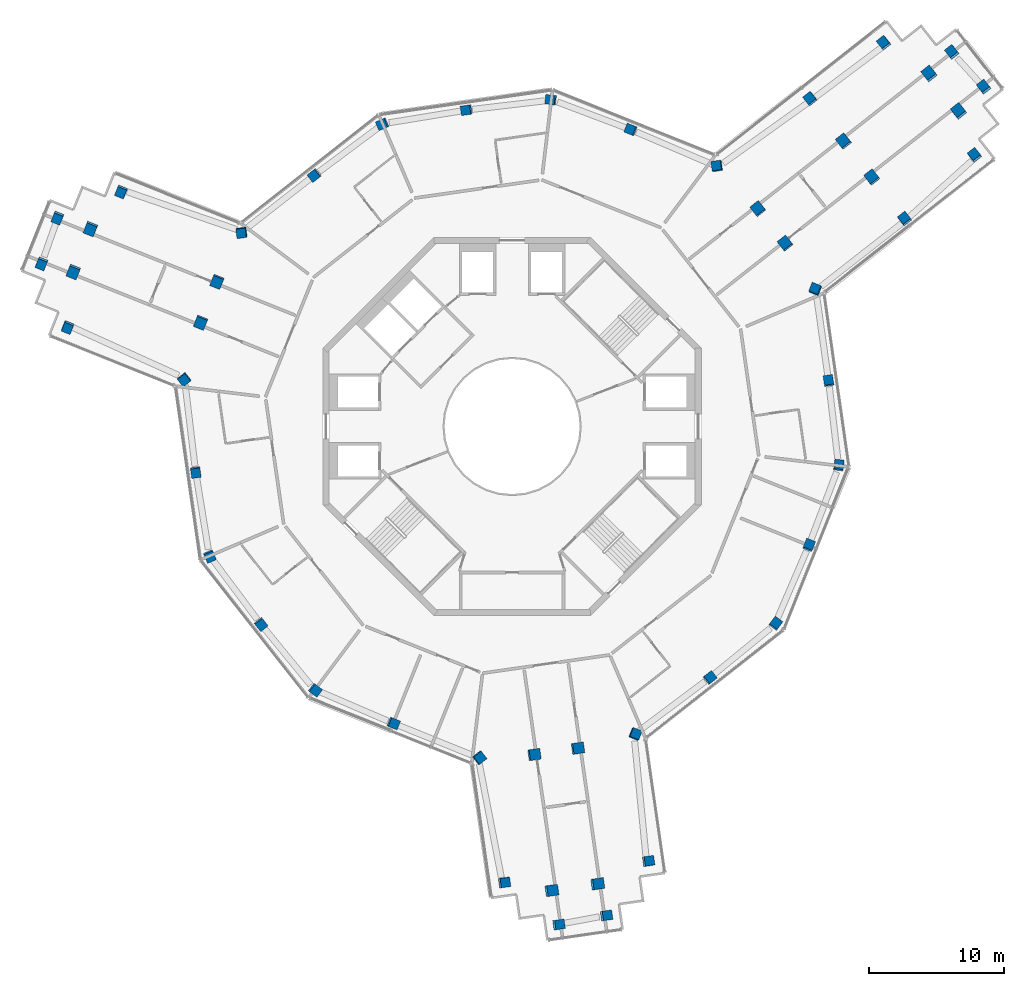
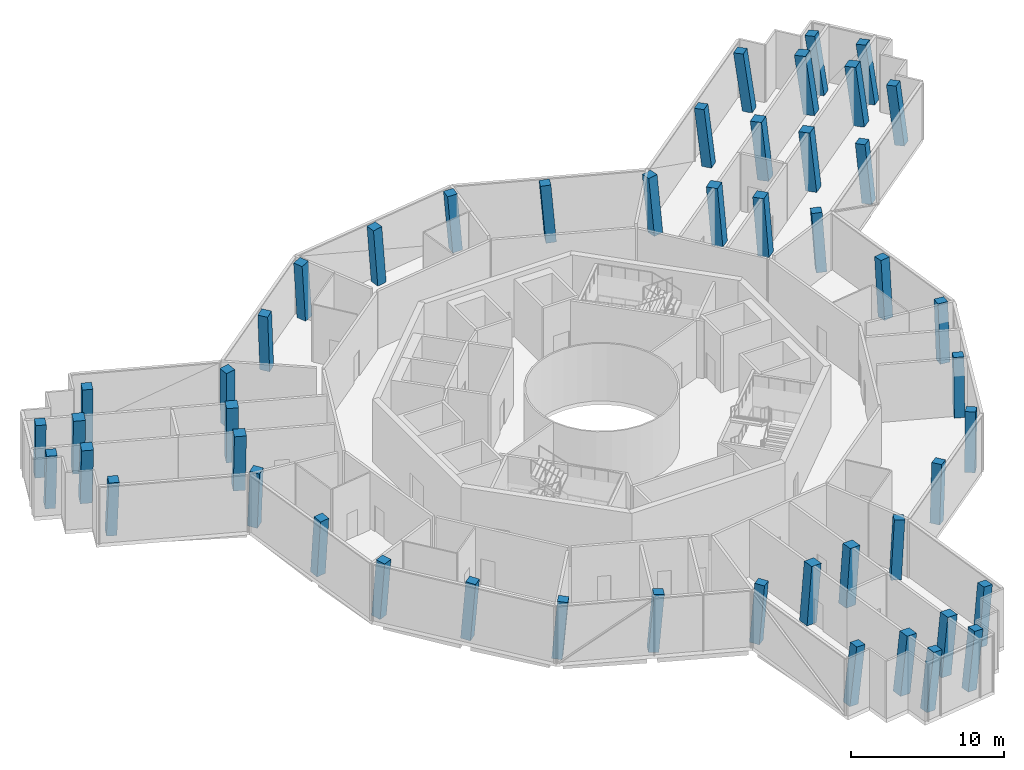
# One storey, part 1 of 19: 49 columns.
"""IFC4 building model written with IfcOpenShell, lengths in metres."""

from ifc_helpers import new_model, si_unit, direction, frame, origin, origin_2d, place, context, subcontext, project, spatial, rectangle, extrude, material, material_profile, profile_set, type_object, element, save


model = new_model("IFC4")

# Units and contexts
model_context = context("Model", 3, precision=1e-05, world=origin(), true_north=direction((0.0, 1.0)))
body_context = subcontext(model_context, "Body", "Model", "MODEL_VIEW")
ifc_project = project(units=[si_unit("LENGTHUNIT", "METRE"), si_unit("AREAUNIT", "SQUARE_METRE"), si_unit("VOLUMEUNIT", "CUBIC_METRE"), si_unit("PLANEANGLEUNIT", "RADIAN"), si_unit("MASSUNIT", "GRAM", prefix="KILO")], contexts=[model_context])

# Site, building, storey
site_placement = place(None, origin())
site = spatial("IfcSite", under=ifc_project, at=site_placement, CompositionType="ELEMENT")
building_placement = place(site_placement, origin())
building = spatial("IfcBuilding", under=site, at=building_placement, Name="Verdalira Terraces Hotel", CompositionType="ELEMENT")
storey_placement = place(building_placement, frame((0.0, 0.0, 310.0)))
storey = spatial("IfcBuildingStorey", under=building, at=storey_placement, Name="L77", CompositionType="ELEMENT", Elevation=310.0)

# Columns
ifc_material_1 = material(Name="Concrete C50", Category="concrete")
ifc_material_profile_1 = material_profile(ifc_material_1, rectangle(XDim=0.699951, YDim=0.699951, at=origin_2d()), Name="RC 700X700")
ifc_profile_set_1 = profile_set([ifc_material_profile_1], Name="Concrete C50")
column_type_1 = type_object("IfcColumnType", Name="Column RC 700X700 C50", PredefinedType="COLUMN", material=ifc_profile_set_1)
for number, where, z_axis, x_axis, name in (
    (1, (-28.906494, 17.413574, 0.0), (-0.05721936, -0.096719177, 0.993665611), (-0.92723047, 0.374106055, -0.016979862), "Column C01"),
    (2, (-32.879883, 7.392334, 0.0), (-0.023679216, -0.109694364, 0.99368327), (0.928900466, -0.369857362, -0.018693716), "Column C02"),
):
    element("IfcColumn", number, at=place(storey_placement, frame(where, z_axis=z_axis, x_axis=x_axis)), inside=storey, type_object=column_type_1, Name=name, PredefinedType="COLUMN", context=body_context, shape_type="SweptSolid", body=[
        extrude(rectangle(XDim=0.699951, YDim=0.699951, at=origin_2d()), origin(), (0.0, 0.0, 1.0), 4.629395),
    ])
column_1_placement = place(storey_placement, frame((-24.263428, 3.519043, 0.0), z_axis=(-0.011107874, -0.081140376, 0.996640785), x_axis=(-0.619180464, 0.783187296, 0.056861342)))
element("IfcColumn", 3, at=column_1_placement, inside=storey, type_object=column_type_1, Name="Column C03", PredefinedType="COLUMN", context=body_context, shape_type="SweptSolid", body=[
    extrude(rectangle(XDim=0.699951, YDim=0.699951, at=origin_2d()), origin(), (0.0, 0.0, 1.0), 4.615723),
])
column_2_placement = place(storey_placement, frame((-23.418701, -3.35791, 0.0), z_axis=(0.011851144, -0.078143481, 0.99687168), x_axis=(0.141161179, -0.986826788, -0.079034246)))
element("IfcColumn", 4, at=column_2_placement, inside=storey, type_object=column_type_1, Name="Column C04", PredefinedType="COLUMN", context=body_context, shape_type="SweptSolid", body=[
    extrude(rectangle(XDim=0.699951, YDim=0.699951, at=origin_2d()), origin(), (0.0, 0.0, 1.0), 4.614502),
])
column_3_placement = place(storey_placement, frame((-22.385742, -9.576172, 0.0), z_axis=(0.032584708, -0.074479333, 0.996690055), x_axis=(-0.391777358, 0.916461693, 0.08129248)))
element("IfcColumn", 5, at=column_3_placement, inside=storey, type_object=column_type_1, Name="Column C05", PredefinedType="COLUMN", context=body_context, shape_type="SweptSolid", body=[
    extrude(rectangle(XDim=0.699951, YDim=0.699951, at=origin_2d()), origin(), (0.0, 0.0, 1.0), 4.615479),
])
column_4_placement = place(storey_placement, frame((-18.602295, -14.617432, 0.0), z_axis=(0.049362085, -0.061742286, 0.996870741), x_axis=(0.615910303, -0.783840682, -0.079046088)))
element("IfcColumn", 6, at=column_4_placement, inside=storey, type_object=column_type_1, Name="Column C06", PredefinedType="COLUMN", context=body_context, shape_type="SweptSolid", body=[
    extrude(rectangle(XDim=0.699951, YDim=0.699951, at=origin_2d()), origin(), (0.0, 0.0, 1.0), 4.614502),
])
column_5_placement = place(storey_placement, frame((-14.598633, -19.486084, 0.0), z_axis=(0.065486741, -0.048189355, 0.996689156), x_axis=(-0.797754975, 0.597475305, 0.081303506)))
element("IfcColumn", 7, at=column_5_placement, inside=storey, type_object=column_type_1, Name="Column C07", PredefinedType="COLUMN", context=body_context, shape_type="SweptSolid", body=[
    extrude(rectangle(XDim=0.699951, YDim=0.699951, at=origin_2d()), origin(), (0.0, 0.0, 1.0), 4.615479),
])
column_6_placement = place(storey_placement, frame((-8.80127, -21.960205, 0.0), z_axis=(0.07359358, -0.028781386, 0.996872919), x_axis=(0.925306036, -0.370897286, -0.079018619)))
element("IfcColumn", 8, at=column_6_placement, inside=storey, type_object=column_type_1, Name="Column C08", PredefinedType="COLUMN", context=body_context, shape_type="SweptSolid", body=[
    extrude(rectangle(XDim=0.699951, YDim=0.699951, at=origin_2d()), origin(), (0.0, 0.0, 1.0), 4.614502),
])
column_7_placement = place(storey_placement, frame((-2.446289, -24.507324, 0.0), z_axis=(0.081931271, -0.007457914, 0.996610077), x_axis=(-0.614475431, 0.786917055, 0.056404721)))
element("IfcColumn", 9, at=column_7_placement, inside=storey, type_object=column_type_1, Name="Column C09", PredefinedType="COLUMN", context=body_context, shape_type="SweptSolid", body=[
    extrude(rectangle(XDim=0.699951, YDim=0.699951, at=origin_2d()), origin(), (0.0, 0.0, 1.0), 4.615723),
])
column_8_placement = place(storey_placement, frame((-0.627197, -33.740479, 0.0), z_axis=(0.112329775, -0.001212951, 0.993670242), x_axis=(0.139458234, -0.990082469, -0.016973672)))
element("IfcColumn", 10, at=column_8_placement, inside=storey, type_object=column_type_1, Name="Column C10", PredefinedType="COLUMN", context=body_context, shape_type="SweptSolid", body=[
    extrude(rectangle(XDim=0.699951, YDim=0.699951, at=origin_2d()), origin(), (0.0, 0.0, 1.0), 4.629395),
])
column_9_placement = place(storey_placement, frame((3.396484, -36.861084, 0.0), z_axis=(0.12245642, 0.012324646, 0.992397364), x_axis=(0.982265159, 0.141545075, -0.122964019)))
element("IfcColumn", 11, at=column_9_placement, inside=storey, type_object=column_type_1, Name="Column C11", PredefinedType="COLUMN", context=body_context, shape_type="SweptSolid", body=[
    extrude(rectangle(XDim=0.699951, YDim=0.699951, at=origin_2d()), origin(), (0.0, 0.0, 1.0), 4.635254),
])
column_10_placement = place(storey_placement, frame((6.91748, -36.19458, 0.0), z_axis=(0.120147212, 0.024018908, 0.992465485), x_axis=(0.982544025, 0.140145274, -0.122337818)))
element("IfcColumn", 12, at=column_10_placement, inside=storey, type_object=column_type_1, Name="Column C12", PredefinedType="COLUMN", context=body_context, shape_type="SweptSolid", body=[
    extrude(rectangle(XDim=0.699951, YDim=0.699951, at=origin_2d()), origin(), (0.0, 0.0, 1.0), 4.63501),
])
column_11_placement = place(storey_placement, frame((10.037842, -32.170898, 0.0), z_axis=(0.106846652, 0.034279528, 0.99368441), x_axis=(-0.143609247, 0.989457928, -0.018692035)))
element("IfcColumn", 13, at=column_11_placement, inside=storey, type_object=column_type_1, Name="Column C13", PredefinedType="COLUMN", context=body_context, shape_type="SweptSolid", body=[
    extrude(rectangle(XDim=0.699951, YDim=0.699951, at=origin_2d()), origin(), (0.0, 0.0, 1.0), 4.629395),
])
column_12_placement = place(storey_placement, frame((9.084229, -22.772217, 0.0), z_axis=(0.075798181, 0.03094343, 0.996642935), x_axis=(-0.36863657, -0.927834001, 0.056843175)))
element("IfcColumn", 14, at=column_12_placement, inside=storey, type_object=column_type_1, Name="Column C14", PredefinedType="COLUMN", context=body_context, shape_type="SweptSolid", body=[
    extrude(rectangle(XDim=0.699951, YDim=0.699951, at=origin_2d()), origin(), (0.0, 0.0, 1.0), 4.615479),
])
column_13_placement = place(storey_placement, frame((14.617432, -18.602295, 0.0), z_axis=(0.061742286, 0.049362085, 0.996870741), x_axis=(0.783840682, 0.615910303, -0.079046088)))
element("IfcColumn", 15, at=column_13_placement, inside=storey, type_object=column_type_1, Name="Column C15", PredefinedType="COLUMN", context=body_context, shape_type="SweptSolid", body=[
    extrude(rectangle(XDim=0.699951, YDim=0.699951, at=origin_2d()), origin(), (0.0, 0.0, 1.0), 4.614502),
])
column_14_placement = place(storey_placement, frame((19.486084, -14.598633, 0.0), z_axis=(0.048189355, 0.065486741, 0.996689156), x_axis=(-0.597475305, -0.797754975, 0.081303506)))
element("IfcColumn", 16, at=column_14_placement, inside=storey, type_object=column_type_1, Name="Column C16", PredefinedType="COLUMN", context=body_context, shape_type="SweptSolid", body=[
    extrude(rectangle(XDim=0.699951, YDim=0.699951, at=origin_2d()), origin(), (0.0, 0.0, 1.0), 4.615479),
])
column_15_placement = place(storey_placement, frame((21.960205, -8.80127, 0.0), z_axis=(0.028781386, 0.07359358, 0.996872919), x_axis=(0.370897286, 0.925306036, -0.079018619)))
element("IfcColumn", 17, at=column_15_placement, inside=storey, type_object=column_type_1, Name="Column C17", PredefinedType="COLUMN", context=body_context, shape_type="SweptSolid", body=[
    extrude(rectangle(XDim=0.699951, YDim=0.699951, at=origin_2d()), origin(), (0.0, 0.0, 1.0), 4.614502),
])
column_16_placement = place(storey_placement, frame((24.174805, -2.899902, 0.0), z_axis=(0.008992511, 0.080826804, 0.996687595), x_axis=(-0.118558007, -0.989611352, 0.081322631)))
element("IfcColumn", 18, at=column_16_placement, inside=storey, type_object=column_type_1, Name="Column C18", PredefinedType="COLUMN", context=body_context, shape_type="SweptSolid", body=[
    extrude(rectangle(XDim=0.699951, YDim=0.699951, at=origin_2d()), origin(), (0.0, 0.0, 1.0), 4.615479),
])
column_17_placement = place(storey_placement, frame((23.418701, 3.35791, 0.0), z_axis=(-0.011851144, 0.078143481, 0.99687168), x_axis=(-0.141161179, 0.986826788, -0.079034246)))
element("IfcColumn", 19, at=column_17_placement, inside=storey, type_object=column_type_1, Name="Column C19", PredefinedType="COLUMN", context=body_context, shape_type="SweptSolid", body=[
    extrude(rectangle(XDim=0.699951, YDim=0.699951, at=origin_2d()), origin(), (0.0, 0.0, 1.0), 4.614502),
])
column_18_placement = place(storey_placement, frame((22.447021, 10.13501, 0.0), z_axis=(-0.034486263, 0.074684974, 0.996610682), x_axis=(-0.374469842, -0.925522237, 0.056399695)))
element("IfcColumn", 20, at=column_18_placement, inside=storey, type_object=column_type_1, Name="Column C20", PredefinedType="COLUMN", context=body_context, shape_type="SweptSolid", body=[
    extrude(rectangle(XDim=0.699951, YDim=0.699951, at=origin_2d()), origin(), (0.0, 0.0, 1.0), 4.615723),
])
column_19_placement = place(storey_placement, frame((29.06543, 15.335693, 0.0), z_axis=(-0.051909887, 0.096381467, 0.993989928), x_axis=(0.787304362, 0.616282679, -0.018641384)))
element("IfcColumn", 21, at=column_19_placement, inside=storey, type_object=column_type_1, Name="Column C21", PredefinedType="COLUMN", context=body_context, shape_type="SweptSolid", body=[
    extrude(rectangle(XDim=0.699951, YDim=0.699951, at=origin_2d()), origin(), (0.0, 0.0, 1.0), 4.62793),
])
column_20_placement = place(storey_placement, frame((34.251709, 20.03418, 0.0), z_axis=(-0.067498447, 0.113216414, 0.991274938), x_axis=(0.787550019, 0.616023556, -0.016731558)))
element("IfcColumn", 22, at=column_20_placement, inside=storey, type_object=column_type_1, Name="Column C22", PredefinedType="COLUMN", context=body_context, shape_type="SweptSolid", body=[
    extrude(rectangle(XDim=0.699951, YDim=0.699951, at=origin_2d()), origin(), (0.0, 0.0, 1.0), 4.640625),
])
column_21_placement = place(storey_placement, frame((34.942139, 25.079102, 0.0), z_axis=(-0.084153163, 0.115198431, 0.989771472), x_axis=(-0.612117402, 0.77780811, -0.142572193)))
element("IfcColumn", 23, at=column_21_placement, inside=storey, type_object=column_type_1, Name="Column C23", PredefinedType="COLUMN", context=body_context, shape_type="SweptSolid", body=[
    extrude(rectangle(XDim=0.699951, YDim=0.699951, at=origin_2d()), origin(), (0.0, 0.0, 1.0), 4.647705),
])
column_22_placement = place(storey_placement, frame((32.587646, 27.654785, 0.0), z_axis=(-0.092675078, 0.107280334, 0.989900126), x_axis=(-0.611218856, 0.778689439, -0.141613093)))
element("IfcColumn", 24, at=column_22_placement, inside=storey, type_object=column_type_1, Name="Column C24", PredefinedType="COLUMN", context=body_context, shape_type="SweptSolid", body=[
    extrude(rectangle(XDim=0.699951, YDim=0.699951, at=origin_2d()), origin(), (0.0, 0.0, 1.0), 4.646973),
])
column_23_placement = place(storey_placement, frame((27.542725, 28.345215, 0.0), z_axis=(-0.09491483, 0.090705747, 0.991344361), x_axis=(-0.784698452, -0.61960342, -0.018437518)))
element("IfcColumn", 25, at=column_23_placement, inside=storey, type_object=column_type_1, Name="Column C25", PredefinedType="COLUMN", context=body_context, shape_type="SweptSolid", body=[
    extrude(rectangle(XDim=0.699951, YDim=0.699951, at=origin_2d()), origin(), (0.0, 0.0, 1.0), 4.640381),
])
column_24_placement = place(storey_placement, frame((22.083496, 24.220703, 0.0), z_axis=(-0.081243871, 0.072908461, 0.994024039), x_axis=(-0.785191013, -0.618968926, -0.018776091)))
element("IfcColumn", 26, at=column_24_placement, inside=storey, type_object=column_type_1, Name="Column C26", PredefinedType="COLUMN", context=body_context, shape_type="SweptSolid", body=[
    extrude(rectangle(XDim=0.699951, YDim=0.699951, at=origin_2d()), origin(), (0.0, 0.0, 1.0), 4.627686),
])
column_25_placement = place(storey_placement, frame((15.179199, 19.253418, 0.0), z_axis=(-0.064690399, 0.050144316, 0.996644721), x_axis=(0.987816207, 0.14487826, 0.056828077)))
element("IfcColumn", 27, at=column_25_placement, inside=storey, type_object=column_type_1, Name="Column C27", PredefinedType="COLUMN", context=body_context, shape_type="SweptSolid", body=[
    extrude(rectangle(XDim=0.699951, YDim=0.699951, at=origin_2d()), origin(), (0.0, 0.0, 1.0), 4.615479),
])
column_26_placement = place(storey_placement, frame((8.80127, 21.960205, 0.0), z_axis=(-0.07359358, 0.028781386, 0.996872919), x_axis=(-0.925306036, 0.370897286, -0.079018619)))
element("IfcColumn", 28, at=column_26_placement, inside=storey, type_object=column_type_1, Name="Column C28", PredefinedType="COLUMN", context=body_context, shape_type="SweptSolid", body=[
    extrude(rectangle(XDim=0.699951, YDim=0.699951, at=origin_2d()), origin(), (0.0, 0.0, 1.0), 4.614502),
])
column_27_placement = place(storey_placement, frame((2.899902, 24.174805, 0.0), z_axis=(-0.080826804, 0.008992511, 0.996687595), x_axis=(0.989611352, -0.118558007, 0.081322631)))
element("IfcColumn", 29, at=column_27_placement, inside=storey, type_object=column_type_1, Name="Column C29", PredefinedType="COLUMN", context=body_context, shape_type="SweptSolid", body=[
    extrude(rectangle(XDim=0.699951, YDim=0.699951, at=origin_2d()), origin(), (0.0, 0.0, 1.0), 4.615479),
])
column_28_placement = place(storey_placement, frame((-3.35791, 23.418701, 0.0), z_axis=(-0.078143481, -0.011851144, 0.99687168), x_axis=(-0.986826788, -0.141161179, -0.079034246)))
element("IfcColumn", 30, at=column_28_placement, inside=storey, type_object=column_type_1, Name="Column C30", PredefinedType="COLUMN", context=body_context, shape_type="SweptSolid", body=[
    extrude(rectangle(XDim=0.699951, YDim=0.699951, at=origin_2d()), origin(), (0.0, 0.0, 1.0), 4.614502),
])
column_29_placement = place(storey_placement, frame((-9.576172, 22.385742, 0.0), z_axis=(-0.074479333, -0.032584708, 0.996690055), x_axis=(0.916461693, 0.391777358, 0.08129248)))
element("IfcColumn", 31, at=column_29_placement, inside=storey, type_object=column_type_1, Name="Column C31", PredefinedType="COLUMN", context=body_context, shape_type="SweptSolid", body=[
    extrude(rectangle(XDim=0.699951, YDim=0.699951, at=origin_2d()), origin(), (0.0, 0.0, 1.0), 4.615479),
])
column_30_placement = place(storey_placement, frame((-14.617432, 18.602295, 0.0), z_axis=(-0.061742286, -0.049362085, 0.996870741), x_axis=(-0.783840682, -0.615910303, -0.079046088)))
element("IfcColumn", 32, at=column_30_placement, inside=storey, type_object=column_type_1, Name="Column C32", PredefinedType="COLUMN", context=body_context, shape_type="SweptSolid", body=[
    extrude(rectangle(XDim=0.699951, YDim=0.699951, at=origin_2d()), origin(), (0.0, 0.0, 1.0), 4.614502),
])
column_31_placement = place(storey_placement, frame((-20.000732, 14.372314, 0.0), z_axis=(-0.047444978, -0.067226942, 0.996609007), x_axis=(0.988754507, 0.138499205, 0.056413612)))
element("IfcColumn", 33, at=column_31_placement, inside=storey, type_object=column_type_1, Name="Column C33", PredefinedType="COLUMN", context=body_context, shape_type="SweptSolid", body=[
    extrude(rectangle(XDim=0.699951, YDim=0.699951, at=origin_2d()), origin(), (0.0, 0.0, 1.0), 4.615723),
])
column_32_placement = place(storey_placement, frame((-33.62085, 15.489258, 0.0), z_axis=(-0.050562484, -0.112238181, 0.992394088), x_axis=(-0.368523999, -0.921446375, -0.122990408)))
element("IfcColumn", 34, at=column_32_placement, inside=storey, type_object=column_type_1, Name="Column C34", PredefinedType="COLUMN", context=body_context, shape_type="SweptSolid", body=[
    extrude(rectangle(XDim=0.699951, YDim=0.699951, at=origin_2d()), origin(), (0.0, 0.0, 1.0), 4.635254),
])
column_33_placement = place(storey_placement, frame((-34.804199, 12.106689, 0.0), z_axis=(-0.039293914, -0.116090867, 0.992461031), x_axis=(-0.369978411, -0.920945503, -0.122373834)))
element("IfcColumn", 35, at=column_33_placement, inside=storey, type_object=column_type_1, Name="Column C35", PredefinedType="COLUMN", context=body_context, shape_type="SweptSolid", body=[
    extrude(rectangle(XDim=0.699951, YDim=0.699951, at=origin_2d()), origin(), (0.0, 0.0, 1.0), 4.63501),
])
ifc_material_2 = material(Name="Concrete C50", Category="concrete")
ifc_material_profile_2 = material_profile(ifc_material_2, rectangle(XDim=0.800049, YDim=0.800049, at=origin_2d()), Name="RC 800X800")
ifc_profile_set_2 = profile_set([ifc_material_profile_2], Name="Concrete C50")
column_type_2 = type_object("IfcColumnType", Name="Column RC 800X800 C50", PredefinedType="COLUMN", material=ifc_profile_set_2)
column_34_placement = place(storey_placement, frame((-21.82666, 10.747803, 0.0), z_axis=(-0.035282546, -0.07320996, 0.996692251), x_axis=(-0.92807836, 0.372344282, -0.005503863)))
element("IfcColumn", 36, at=column_34_placement, inside=storey, type_object=column_type_2, Name="Column C36", PredefinedType="COLUMN", context=body_context, shape_type="SweptSolid", body=[
    extrude(rectangle(XDim=0.800049, YDim=0.800049, at=origin_2d()), origin(), (0.0, 0.0, 1.0), 4.615479),
])
column_35_placement = place(storey_placement, frame((-23.038086, 7.725098, 0.0), z_axis=(-0.025126463, -0.077177915, 0.996700672), x_axis=(-0.928526678, 0.371227313, 0.005337569)))
element("IfcColumn", 37, at=column_35_placement, inside=storey, type_object=column_type_2, Name="Column C37", PredefinedType="COLUMN", context=body_context, shape_type="SweptSolid", body=[
    extrude(rectangle(XDim=0.800049, YDim=0.800049, at=origin_2d()), origin(), (0.0, 0.0, 1.0), 4.615234),
])
for number, where, z_axis, x_axis, name in (
    (38, (-31.177246, 14.678223, 0.0), (-0.04797763, -0.104179997, 0.993400561), (-0.927989197, 0.372562775, -0.005747061), "Column C38"),
    (39, (-32.451904, 11.497803, 0.0), (-0.037328086, -0.108346351, 0.993412141), (-0.928576495, 0.371099088, 0.005582023), "Column C39"),
):
    element("IfcColumn", number, at=place(storey_placement, frame(where, z_axis=z_axis, x_axis=x_axis)), inside=storey, type_object=column_type_2, Name=name, PredefinedType="COLUMN", context=body_context, shape_type="SweptSolid", body=[
        extrude(rectangle(XDim=0.800049, YDim=0.800049, at=origin_2d()), origin(), (0.0, 0.0, 1.0), 4.630615),
    ])
column_36_placement = place(storey_placement, frame((1.605469, -24.276123, 0.0), z_axis=(0.081038808, 0.006030303, 0.996692704), x_axis=(0.141351387, -0.989944189, -0.005503486)))
element("IfcColumn", 40, at=column_36_placement, inside=storey, type_object=column_type_2, Name="Column C40", PredefinedType="COLUMN", context=body_context, shape_type="SweptSolid", body=[
    extrude(rectangle(XDim=0.800049, YDim=0.800049, at=origin_2d()), origin(), (0.0, 0.0, 1.0), 4.615479),
])
column_37_placement = place(storey_placement, frame((4.829102, -23.813965, 0.0), z_axis=(0.07934715, 0.016768698, 0.996705995), x_axis=(0.142190049, -0.989825008, 0.005333269)))
element("IfcColumn", 41, at=column_37_placement, inside=storey, type_object=column_type_2, Name="Column C41", PredefinedType="COLUMN", context=body_context, shape_type="SweptSolid", body=[
    extrude(rectangle(XDim=0.800049, YDim=0.800049, at=origin_2d()), origin(), (0.0, 0.0, 1.0), 4.615234),
])
for number, where, z_axis, x_axis, name in (
    (42, (2.876709, -34.339355, 0.0), (0.114249517, 0.010544487, 0.993396125), (0.141352524, -0.989942631, -0.005748986), "Column C42"),
    (43, (6.268555, -33.853027, 0.0), (0.112511325, 0.021827408, 0.993410673), (0.142721268, -0.989747177, 0.005582642), "Column C43"),
):
    element("IfcColumn", number, at=place(storey_placement, frame(where, z_axis=z_axis, x_axis=x_axis)), inside=storey, type_object=column_type_2, Name=name, PredefinedType="COLUMN", context=body_context, shape_type="SweptSolid", body=[
        extrude(rectangle(XDim=0.800049, YDim=0.800049, at=origin_2d()), origin(), (0.0, 0.0, 1.0), 4.630615),
    ])
for number, where, z_axis, x_axis, name in (
    (44, (20.221191, 13.528564, 0.0), (-0.045756338, 0.067126928, 0.996694704), (0.786380312, 0.617718168, -0.005501825), "Column C44"),
    (45, (18.208984, 16.089111, 0.0), (-0.054220399, 0.060356561, 0.996703182), (0.786101956, 0.618073819, 0.005335542), "Column C45"),
):
    element("IfcColumn", number, at=place(storey_placement, frame(where, z_axis=z_axis, x_axis=x_axis)), inside=storey, type_object=column_type_2, Name=name, PredefinedType="COLUMN", context=body_context, shape_type="SweptSolid", body=[
        extrude(rectangle(XDim=0.800049, YDim=0.800049, at=origin_2d()), origin(), (0.0, 0.0, 1.0), 4.615234),
    ])
column_38_placement = place(storey_placement, frame((26.650635, 18.408936, 0.0), z_axis=(-0.062101936, 0.088272336, 0.994158611), x_axis=(0.786520881, 0.617537376, -0.005700295)))
element("IfcColumn", 46, at=column_38_placement, inside=storey, type_object=column_type_2, Name="Column C46", PredefinedType="COLUMN", context=body_context, shape_type="SweptSolid", body=[
    extrude(rectangle(XDim=0.800049, YDim=0.800049, at=origin_2d()), origin(), (0.0, 0.0, 1.0), 4.627197),
])
column_39_placement = place(storey_placement, frame((24.554932, 21.075684, 0.0), z_axis=(-0.070861771, 0.081203473, 0.994175339), x_axis=(0.786016347, 0.618180958, 0.005532293)))
element("IfcColumn", 47, at=column_39_placement, inside=storey, type_object=column_type_2, Name="Column C47", PredefinedType="COLUMN", context=body_context, shape_type="SweptSolid", body=[
    extrude(rectangle(XDim=0.800049, YDim=0.800049, at=origin_2d()), origin(), (0.0, 0.0, 1.0), 4.626953),
])
for number, where, z_axis, x_axis, name in (
    (48, (33.080078, 23.289307, 0.0), (-0.078256752, 0.109180792, 0.990936646), (0.786712129, 0.617291991, -0.005884223), "Column C48"),
    (49, (30.900879, 26.062256, 0.0), (-0.087356258, 0.101924399, 0.990949192), (0.786075609, 0.618103885, 0.005720532), "Column C49"),
):
    element("IfcColumn", number, at=place(storey_placement, frame(where, z_axis=z_axis, x_axis=x_axis)), inside=storey, type_object=column_type_2, Name=name, PredefinedType="COLUMN", context=body_context, shape_type="SweptSolid", body=[
        extrude(rectangle(XDim=0.800049, YDim=0.800049, at=origin_2d()), origin(), (0.0, 0.0, 1.0), 4.64209),
    ])

save(model, "model.ifc")
